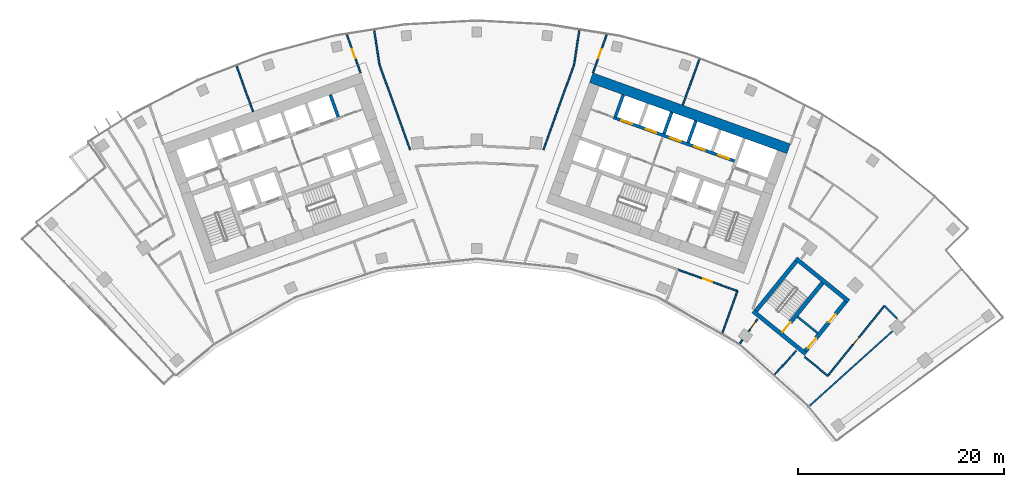
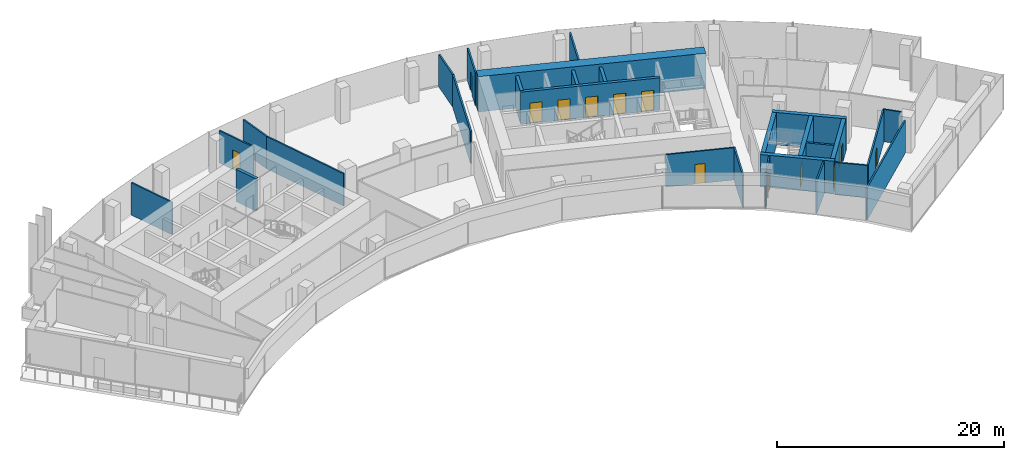
# One storey, part 15 of 19: 29 walls, 13 doors, 13 openings.
"""IFC4 building model written with IfcOpenShell, lengths in metres."""

from ifc_helpers import new_model, si_unit, direction, frame, frame_2d, origin, place, context, subcontext, project, spatial, rectangle, extrude, material, layer, layer_set, type_object, element, fill, save


model = new_model("IFC4")

# Units and contexts
model_context = context("Model", 3, precision=1e-05, world=origin(), true_north=direction((0.0, 1.0)))
body_context = subcontext(model_context, "Body", "Model", "MODEL_VIEW")
ifc_project = project(units=[si_unit("LENGTHUNIT", "METRE"), si_unit("AREAUNIT", "SQUARE_METRE"), si_unit("VOLUMEUNIT", "CUBIC_METRE"), si_unit("PLANEANGLEUNIT", "RADIAN"), si_unit("MASSUNIT", "GRAM", prefix="KILO")], contexts=[model_context])

# Site, building, storey
site_placement = place(None, origin())
site = spatial("IfcSite", under=ifc_project, at=site_placement, CompositionType="ELEMENT")
building_placement = place(site_placement, origin())
building = spatial("IfcBuilding", under=site, at=building_placement, Name="Stone Belt Terrace Tower", CompositionType="ELEMENT")
storey_placement = place(building_placement, frame((0.0, 0.0, 227.60009765625)))
storey = spatial("IfcBuildingStorey", under=building, at=storey_placement, Name="L55", CompositionType="ELEMENT", Elevation=227.60009765625)

# Walls
ifc_material_1 = material(Name="Concrete B60", Category="concrete")
ifc_layer_1 = layer(ifc_material_1, 1.0)
ifc_layer_set_1 = layer_set([ifc_layer_1], Name="Core wall 1000 B60")
wall_type_1 = type_object("IfcWallType", Name="Core wall 1000 B60", PredefinedType="SHEAR", material=ifc_layer_set_1)
wall_1_placement = place(storey_placement, frame((11.12646484375, 61.038330078125, 0.0), z_axis=(0.0, 0.0, 1.0), x_axis=(0.940921428504, -0.338624962727, 0.0)))
element("IfcWall", 1, at=wall_1_placement, inside=storey, type_object=wall_type_1, Name="Core B wall convex L55", PredefinedType="SHEAR", context=body_context, shape_type="SweptSolid", body=[
    extrude(rectangle(XDim=20.400146484375, YDim=1.0, at=frame_2d((10.2001953125, 0.0))), origin(), (0.0, 0.0, 1.0), 3.7998046875),
])
ifc_material_2 = material(Name="Concrete B80", Category="concrete")
ifc_layer_2 = layer(ifc_material_2, 0.300048828125)
ifc_layer_set_2 = layer_set([ifc_layer_2], Name="Lift shaft wall 300")
wall_type_2 = type_object("IfcWallType", Name="Lift shaft wall 300", PredefinedType="SHEAR", material=ifc_layer_set_2)
wall_2_placement = place(storey_placement, frame((-13.471435546875, 57.218505859375, 0.0), z_axis=(0.0, 0.0, 1.0), x_axis=(-0.338587917, 0.940934759939, 0.0)))
element("IfcWall", 2, at=wall_2_placement, inside=storey, type_object=wall_type_2, Name="Core A wall", PredefinedType="SHEAR", context=body_context, shape_type="SweptSolid", body=[
    extrude(rectangle(XDim=2.300048828125, YDim=0.300048828125, at=frame_2d((1.14990234375, 0.0))), origin(), (0.0, 0.0, 1.0), 3.47998046875),
])

# Wall, openings, doors
wall_3_placement = place(storey_placement, frame((25.05810546875, 52.9423828125, 0.0), z_axis=(0.0, 0.0, 1.0), x_axis=(-0.940920770291, 0.338626791666, 0.0)))
wall_3 = element("IfcWall", 3, at=wall_3_placement, inside=storey, type_object=wall_type_2, Name="Core B wall", PredefinedType="SHEAR", context=body_context, shape_type="SweptSolid", body=[
    extrude(rectangle(XDim=12.500244140625, YDim=0.300048828125, at=frame_2d((6.25, 0.0))), origin(), (0.0, 0.0, 1.0), 3.47998046875),
])
opening_1_placement = place(wall_3_placement, frame((0.570068359375, 0.0, 0.0)))
opening_1 = element("IfcOpeningElement", 4, at=opening_1_placement, cuts=wall_3, Name="Opening L55-LD09", PredefinedType="OPENING", context=body_context, shape_type="SweptSolid", body=[
    extrude(rectangle(XDim=1.10009765625, YDim=2.199951171875, at=frame_2d((0.550048828125, 1.10009765625))), frame((0.0, 0.159912109375, 0.0), z_axis=(0.0, -1.0, 0.0), x_axis=(1.0, 0.0, 0.0)), (0.0, 0.0, 1.0), 0.320068359375),
])
opening_2_placement = place(wall_3_placement, frame((3.070068359375, 0.0, 0.0)))
opening_2 = element("IfcOpeningElement", 5, at=opening_2_placement, cuts=wall_3, Name="Opening L55-LD10", PredefinedType="OPENING", context=body_context, shape_type="SweptSolid", body=[
    extrude(rectangle(XDim=1.10009765625, YDim=2.199951171875, at=frame_2d((0.550048828125, 1.10009765625))), frame((0.0, 0.159912109375, 0.0), z_axis=(0.0, -1.0, 0.0), x_axis=(1.0, 0.0, 0.0)), (0.0, 0.0, 1.0), 0.320068359375),
])
opening_3_placement = place(wall_3_placement, frame((5.570068359375, 0.0, 0.0)))
opening_3 = element("IfcOpeningElement", 6, at=opening_3_placement, cuts=wall_3, Name="Opening L55-LD11", PredefinedType="OPENING", context=body_context, shape_type="SweptSolid", body=[
    extrude(rectangle(XDim=1.10009765625, YDim=2.199951171875, at=frame_2d((0.550048828125, 1.10009765625))), frame((0.0, 0.159912109375, 0.0), z_axis=(0.0, -1.0, 0.0), x_axis=(1.0, 0.0, 0.0)), (0.0, 0.0, 1.0), 0.320068359375),
])
opening_4_placement = place(wall_3_placement, frame((8.070068359375, 0.0, 0.0)))
opening_4 = element("IfcOpeningElement", 7, at=opening_4_placement, cuts=wall_3, Name="Opening L55-LD12", PredefinedType="OPENING", context=body_context, shape_type="SweptSolid", body=[
    extrude(rectangle(XDim=1.10009765625, YDim=2.199951171875, at=frame_2d((0.550048828125, 1.10009765625))), frame((0.0, 0.159912109375, 0.0), z_axis=(0.0, -1.0, 0.0), x_axis=(1.0, 0.0, 0.0)), (0.0, 0.0, 1.0), 0.320068359375),
])
opening_5_placement = place(wall_3_placement, frame((10.570068359375, 0.0, 0.0)))
opening_5 = element("IfcOpeningElement", 8, at=opening_5_placement, cuts=wall_3, Name="Opening L55-LD13", PredefinedType="OPENING", context=body_context, shape_type="SweptSolid", body=[
    extrude(rectangle(XDim=1.10009765625, YDim=2.199951171875, at=frame_2d((0.550048828125, 1.10009765625))), frame((0.0, 0.159912109375, 0.0), z_axis=(0.0, -1.0, 0.0), x_axis=(1.0, 0.0, 0.0)), (0.0, 0.0, 1.0), 0.320068359375),
])
ifc_material_3 = material(Name="Stainless steel door leaf", Category="steel")
door_type_1 = type_object("IfcDoorType", Name="Landing door 1100", OperationType="SLIDING_TO_LEFT", PredefinedType="DOOR", material=ifc_material_3)
door_1_placement = place(opening_1_placement, origin())
door_1 = element("IfcDoor", 9, at=door_1_placement, inside=storey, type_object=door_type_1, Name="Landing door MR1 core B", OperationType="SLIDING_TO_LEFT", OverallHeight=2.199951171875, OverallWidth=1.10009765625, PredefinedType="DOOR", context=body_context, shape_type="SweptSolid", body=[
    extrude(rectangle(XDim=1.10009765625, YDim=2.199951171875, at=frame_2d((0.550048828125, 1.10009765625))), frame((0.0, 0.02490234375, 0.0), z_axis=(0.0, -1.0, 0.0), x_axis=(1.0, 0.0, 0.0)), (0.0, 0.0, 1.0), 0.050048828125),
])
fill(opening_1, door_1)
door_2_placement = place(opening_2_placement, origin())
door_2 = element("IfcDoor", 10, at=door_2_placement, inside=storey, type_object=door_type_1, Name="Landing door MR2 core B", OperationType="SLIDING_TO_LEFT", OverallHeight=2.199951171875, OverallWidth=1.10009765625, PredefinedType="DOOR", context=body_context, shape_type="SweptSolid", body=[
    extrude(rectangle(XDim=1.10009765625, YDim=2.199951171875, at=frame_2d((0.550048828125, 1.10009765625))), frame((0.0, 0.02490234375, 0.0), z_axis=(0.0, -1.0, 0.0), x_axis=(1.0, 0.0, 0.0)), (0.0, 0.0, 1.0), 0.050048828125),
])
fill(opening_2, door_2)
door_3_placement = place(opening_3_placement, origin())
door_3 = element("IfcDoor", 11, at=door_3_placement, inside=storey, type_object=door_type_1, Name="Landing door MR3 core B", OperationType="SLIDING_TO_LEFT", OverallHeight=2.199951171875, OverallWidth=1.10009765625, PredefinedType="DOOR", context=body_context, shape_type="SweptSolid", body=[
    extrude(rectangle(XDim=1.10009765625, YDim=2.199951171875, at=frame_2d((0.550048828125, 1.10009765625))), frame((0.0, 0.02490234375, 0.0), z_axis=(0.0, -1.0, 0.0), x_axis=(1.0, 0.0, 0.0)), (0.0, 0.0, 1.0), 0.050048828125),
])
fill(opening_3, door_3)
door_4_placement = place(opening_4_placement, origin())
door_4 = element("IfcDoor", 12, at=door_4_placement, inside=storey, type_object=door_type_1, Name="Landing door MR4 core B", OperationType="SLIDING_TO_LEFT", OverallHeight=2.199951171875, OverallWidth=1.10009765625, PredefinedType="DOOR", context=body_context, shape_type="SweptSolid", body=[
    extrude(rectangle(XDim=1.10009765625, YDim=2.199951171875, at=frame_2d((0.550048828125, 1.10009765625))), frame((0.0, 0.02490234375, 0.0), z_axis=(0.0, -1.0, 0.0), x_axis=(1.0, 0.0, 0.0)), (0.0, 0.0, 1.0), 0.050048828125),
])
fill(opening_4, door_4)
door_5_placement = place(opening_5_placement, origin())
door_5 = element("IfcDoor", 13, at=door_5_placement, inside=storey, type_object=door_type_1, Name="Landing door MR5 core B", OperationType="SLIDING_TO_LEFT", OverallHeight=2.199951171875, OverallWidth=1.10009765625, PredefinedType="DOOR", context=body_context, shape_type="SweptSolid", body=[
    extrude(rectangle(XDim=1.10009765625, YDim=2.199951171875, at=frame_2d((0.550048828125, 1.10009765625))), frame((0.0, 0.02490234375, 0.0), z_axis=(0.0, -1.0, 0.0), x_axis=(1.0, 0.0, 0.0)), (0.0, 0.0, 1.0), 0.050048828125),
])
fill(opening_5, door_5)

# Walls
wall_4_placement = place(storey_placement, frame((20.54541015625, 54.72607421875, 0.0), z_axis=(0.0, 0.0, 1.0), x_axis=(0.338569601369, 0.940941350472, 0.0)))
element("IfcWall", 14, at=wall_4_placement, inside=storey, type_object=wall_type_2, Name="Core B wall", PredefinedType="SHEAR", context=body_context, shape_type="SweptSolid", body=[
    extrude(rectangle(XDim=2.249755859375, YDim=0.300048828125, at=frame_2d((1.125, 0.0))), origin(), (0.0, 0.0, 1.0), 3.47998046875),
])
wall_5_placement = place(storey_placement, frame((18.193115234375, 55.572509765625, 0.0), z_axis=(0.0, 0.0, 1.0), x_axis=(0.338535034312, 0.940953787677, 0.0)))
element("IfcWall", 15, at=wall_5_placement, inside=storey, type_object=wall_type_2, Name="Core B wall", PredefinedType="SHEAR", context=body_context, shape_type="SweptSolid", body=[
    extrude(rectangle(XDim=2.25, YDim=0.300048828125, at=frame_2d((1.125, 0.0))), origin(), (0.0, 0.0, 1.0), 3.47998046875),
])
wall_6_placement = place(storey_placement, frame((13.471435546875, 57.218505859375, 0.0), z_axis=(0.0, 0.0, 1.0), x_axis=(0.338587917, 0.940934759939, 0.0)))
element("IfcWall", 16, at=wall_6_placement, inside=storey, type_object=wall_type_2, Name="Core B wall", PredefinedType="SHEAR", context=body_context, shape_type="SweptSolid", body=[
    extrude(rectangle(XDim=2.300048828125, YDim=0.300048828125, at=frame_2d((1.14990234375, 0.0))), origin(), (0.0, 0.0, 1.0), 3.47998046875),
])

# Wall, opening, door
ifc_material_4 = material(Name="Gypsum board partition")
ifc_layer_3 = layer(ifc_material_4, 0.14990234375)
ifc_layer_set_3 = layer_set([ifc_layer_3], Name="PARTITION 150 EI 60")
wall_type_3 = type_object("IfcWallType", Name="PARTITION 150 EI 60", PredefinedType="PARTITIONING", material=ifc_layer_set_3)
wall_7_placement = place(storey_placement, frame((-11.2958984375, 61.509033203125, 0.0), z_axis=(0.0, 0.0, 1.0), x_axis=(-0.338610223579, 0.940926732795, 0.0)))
wall_7 = element("IfcWall", 17, at=wall_7_placement, inside=storey, type_object=wall_type_3, Name="L55/wall/i008", PredefinedType="PARTITIONING", context=body_context, shape_type="SweptSolid", body=[
    extrude(rectangle(XDim=3.956787109375, YDim=0.14990234375, at=frame_2d((1.978515625, 0.0))), origin(), (0.0, 0.0, 1.0), 3.47998046875),
])
opening_6_placement = place(wall_7_placement, frame((1.5283203125, 0.0, 0.0)))
opening_6 = element("IfcOpeningElement", 18, at=opening_6_placement, cuts=wall_7, Name="Opening D-D4-04", PredefinedType="OPENING", context=body_context, shape_type="SweptSolid", body=[
    extrude(rectangle(XDim=0.89990234375, YDim=2.10009765625, at=frame_2d((0.449951171875, 1.050048828125))), frame((0.0, 0.0849609375, 0.0), z_axis=(0.0, -1.0, 0.0), x_axis=(1.0, 0.0, 0.0)), (0.0, 0.0, 1.0), 0.169921875),
])
ifc_material_5 = material(Name="Timber door leaf", Category="wood")
door_type_2 = type_object("IfcDoorType", Name="OFFICE DOOR 900 X 2100", OperationType="NOTDEFINED", PredefinedType="DOOR", material=ifc_material_5)
door_6_placement = place(opening_6_placement, origin())
door_6 = element("IfcDoor", 19, at=door_6_placement, inside=storey, type_object=door_type_2, Name="L55/door/i04", OperationType="SINGLE_SWING_RIGHT", OverallHeight=2.10009765625, OverallWidth=0.89990234375, PredefinedType="DOOR", context=body_context, shape_type="SweptSolid", body=[
    extrude(rectangle(XDim=0.89990234375, YDim=2.10009765625, at=frame_2d((0.449951171875, 1.050048828125))), frame((0.0, 0.02490234375, 0.0), z_axis=(0.0, -1.0, 0.0), x_axis=(1.0, 0.0, 0.0)), (0.0, 0.0, 1.0), 0.050048828125),
])
fill(opening_6, door_6)

# Walls
wall_8_placement = place(storey_placement, frame((-9.971923828125, 65.65576171875, 0.0), z_axis=(0.0, 0.0, 1.0), x_axis=(0.150154488208, -0.988662545903, 0.0)))
element("IfcWall", 20, at=wall_8_placement, inside=storey, type_object=wall_type_3, Name="L55/wall/i010", PredefinedType="PARTITIONING", context=body_context, shape_type="SweptSolid", body=[
    extrude(rectangle(XDim=3.35595703125, YDim=0.14990234375, at=frame_2d((1.677978515625, 0.0))), origin(), (0.0, 0.0, 1.0), 3.47998046875),
])
wall_9_placement = place(storey_placement, frame((-9.468017578125, 62.3369140625, 0.0), z_axis=(0.0, 0.0, 1.0), x_axis=(0.338603075024, -0.940929305307, 0.0)))
element("IfcWall", 21, at=wall_9_placement, inside=storey, type_object=wall_type_3, Name="L55/wall/i011", PredefinedType="PARTITIONING", context=body_context, shape_type="SweptSolid", body=[
    extrude(rectangle(XDim=8.839111328125, YDim=0.14990234375, at=frame_2d((4.41943359375, 0.0))), origin(), (0.0, 0.0, 1.0), 3.47998046875),
])
wall_10_placement = place(storey_placement, frame((-23.349853515625, 62.170166015625, 0.0), z_axis=(0.0, 0.0, 1.0), x_axis=(0.338590819614, -0.940933715451, 0.0)))
element("IfcWall", 22, at=wall_10_placement, inside=storey, type_object=wall_type_3, Name="L55/wall/i015", PredefinedType="PARTITIONING", context=body_context, shape_type="SweptSolid", body=[
    extrude(rectangle(XDim=4.7041015625, YDim=0.14990234375, at=frame_2d((2.35205078125, 0.0))), origin(), (0.0, 0.0, 1.0), 3.47998046875),
])

# Wall, opening, door
wall_11_placement = place(storey_placement, frame((12.6357421875, 65.232177734375, 0.0), z_axis=(0.0, 0.0, 1.0), x_axis=(-0.338610223579, -0.940926732795, 0.0)))
wall_11 = element("IfcWall", 23, at=wall_11_placement, inside=storey, type_object=wall_type_3, Name="L55/wall/i017", PredefinedType="PARTITIONING", context=body_context, shape_type="SweptSolid", body=[
    extrude(rectangle(XDim=3.956787109375, YDim=0.14990234375, at=frame_2d((1.978515625, 0.0))), origin(), (0.0, 0.0, 1.0), 3.47998046875),
])
opening_7_placement = place(wall_11_placement, frame((1.5283203125, 0.0, 0.0)))
opening_7 = element("IfcOpeningElement", 24, at=opening_7_placement, cuts=wall_11, Name="Opening D-D4-07", PredefinedType="OPENING", context=body_context, shape_type="SweptSolid", body=[
    extrude(rectangle(XDim=0.89990234375, YDim=2.10009765625, at=frame_2d((0.449951171875, 1.050048828125))), frame((0.0, 0.0849609375, 0.0), z_axis=(0.0, -1.0, 0.0), x_axis=(1.0, 0.0, 0.0)), (0.0, 0.0, 1.0), 0.169921875),
])
door_7_placement = place(opening_7_placement, origin())
door_7 = element("IfcDoor", 25, at=door_7_placement, inside=storey, type_object=door_type_2, Name="L55/door/i07", OperationType="SINGLE_SWING_RIGHT", OverallHeight=2.10009765625, OverallWidth=0.89990234375, PredefinedType="DOOR", context=body_context, shape_type="SweptSolid", body=[
    extrude(rectangle(XDim=0.89990234375, YDim=2.10009765625, at=frame_2d((0.449951171875, 1.050048828125))), frame((0.0, 0.02490234375, 0.0), z_axis=(0.0, -1.0, 0.0), x_axis=(1.0, 0.0, 0.0)), (0.0, 0.0, 1.0), 0.050048828125),
])
fill(opening_7, door_7)

# Walls
wall_12_placement = place(storey_placement, frame((6.47509765625, 54.02001953125, 0.0), z_axis=(0.0, 0.0, 1.0), x_axis=(0.338603075024, 0.940929305307, 0.0)))
element("IfcWall", 26, at=wall_12_placement, inside=storey, type_object=wall_type_3, Name="L55/wall/i019", PredefinedType="PARTITIONING", context=body_context, shape_type="SweptSolid", body=[
    extrude(rectangle(XDim=8.839111328125, YDim=0.14990234375, at=frame_2d((4.41943359375, 0.0))), origin(), (0.0, 0.0, 1.0), 3.47998046875),
])
wall_13_placement = place(storey_placement, frame((9.468017578125, 62.337890625, 0.0), z_axis=(0.0, 0.0, 1.0), x_axis=(0.150154488208, 0.988662545903, 0.0)))
element("IfcWall", 27, at=wall_13_placement, inside=storey, type_object=wall_type_3, Name="L55/wall/i020", PredefinedType="PARTITIONING", context=body_context, shape_type="SweptSolid", body=[
    extrude(rectangle(XDim=3.35595703125, YDim=0.14990234375, at=frame_2d((1.677978515625, 0.0))), origin(), (0.0, 0.0, 1.0), 3.47998046875),
])
wall_14_placement = place(storey_placement, frame((23.860107421875, 36.1787109375, 0.0), z_axis=(0.0, 0.0, 1.0), x_axis=(0.338603151709, 0.94092927771, 0.0)))
element("IfcWall", 28, at=wall_14_placement, inside=storey, type_object=wall_type_3, Name="L55/wall/i021", PredefinedType="PARTITIONING", context=body_context, shape_type="SweptSolid", body=[
    extrude(rectangle(XDim=4.38525390625, YDim=0.14990234375, at=frame_2d((2.192626953125, 0.0))), origin(), (0.0, 0.0, 1.0), 3.47998046875),
])

# Wall, opening, door
wall_15_placement = place(storey_placement, frame((27.282958984375, 37.552001953125, 0.0), z_axis=(0.0, 0.0, 1.0), x_axis=(-0.587894549619, -0.808937573938, 0.0)))
wall_15 = element("IfcWall", 29, at=wall_15_placement, inside=storey, type_object=wall_type_3, Name="L55/wall/i024", PredefinedType="PARTITIONING", context=body_context, shape_type="SweptSolid", body=[
    extrude(rectangle(XDim=1.466796875, YDim=0.14990234375, at=frame_2d((0.7333984375, 0.0))), origin(), (0.0, 0.0, 1.0), 3.47998046875),
])
opening_8_placement = place(wall_15_placement, frame((0.283447265625, 0.0, 0.0)))
opening_8 = element("IfcOpeningElement", 30, at=opening_8_placement, cuts=wall_15, Name="Opening D-D4-17", PredefinedType="OPENING", context=body_context, shape_type="SweptSolid", body=[
    extrude(rectangle(XDim=0.89990234375, YDim=2.10009765625, at=frame_2d((0.449951171875, 1.050048828125))), frame((0.0, 0.0849609375, 0.0), z_axis=(0.0, -1.0, 0.0), x_axis=(1.0, 0.0, 0.0)), (0.0, 0.0, 1.0), 0.169921875),
])
ifc_material_6 = material(Name="Timber fire door leaf", Category="wood")
door_type_3 = type_object("IfcDoorType", Name="TENANCY ENTRANCE DOOR 900 X 2100", OperationType="NOTDEFINED", PredefinedType="DOOR", material=ifc_material_6)
door_8_placement = place(opening_8_placement, origin())
door_8 = element("IfcDoor", 31, at=door_8_placement, inside=storey, type_object=door_type_3, Name="L55/door/i17", OperationType="SINGLE_SWING_RIGHT", OverallHeight=2.10009765625, OverallWidth=0.89990234375, PredefinedType="DOOR", context=body_context, shape_type="SweptSolid", body=[
    extrude(rectangle(XDim=0.89990234375, YDim=2.10009765625, at=frame_2d((0.449951171875, 1.050048828125))), frame((0.0, 0.02490234375, 0.0), z_axis=(0.0, -1.0, 0.0), x_axis=(1.0, 0.0, 0.0)), (0.0, 0.0, 1.0), 0.050048828125),
])
fill(opening_8, door_8)

# Wall
wall_16_placement = place(storey_placement, frame((25.826904296875, 35.54833984375, 0.0), z_axis=(0.0, 0.0, 1.0), x_axis=(-0.587676645097, -0.809095890984, 0.0)))
element("IfcWall", 32, at=wall_16_placement, inside=storey, type_object=wall_type_3, Name="L55/wall/i025", PredefinedType="PARTITIONING", context=body_context, shape_type="SweptSolid", body=[
    extrude(rectangle(XDim=0.43994140625, YDim=0.14990234375, at=frame_2d((0.219970703125, 0.0))), origin(), (0.0, 0.0, 1.0), 3.47998046875),
])

# Wall, opening, door
wall_17_placement = place(storey_placement, frame((25.343017578125, 40.299072265625, 0.0), z_axis=(0.0, 0.0, 1.0), x_axis=(-0.940930306206, 0.338600293654, 0.0)))
wall_17 = element("IfcWall", 33, at=wall_17_placement, inside=storey, type_object=wall_type_3, Name="L55/wall/i029", PredefinedType="PARTITIONING", context=body_context, shape_type="SweptSolid", body=[
    extrude(rectangle(XDim=6.166259765625, YDim=0.14990234375, at=frame_2d((3.0830078125, 0.0))), origin(), (0.0, 0.0, 1.0), 3.47998046875),
])
opening_9_placement = place(wall_17_placement, frame((2.633056640625, 0.0, 0.0)))
opening_9 = element("IfcOpeningElement", 34, at=opening_9_placement, cuts=wall_17, Name="Opening D-D4-06", PredefinedType="OPENING", context=body_context, shape_type="SweptSolid", body=[
    extrude(rectangle(XDim=0.89990234375, YDim=2.10009765625, at=frame_2d((0.449951171875, 1.050048828125))), frame((0.0, 0.0849609375, 0.0), z_axis=(0.0, -1.0, 0.0), x_axis=(1.0, 0.0, 0.0)), (0.0, 0.0, 1.0), 0.169921875),
])
door_9_placement = place(opening_9_placement, origin())
door_9 = element("IfcDoor", 35, at=door_9_placement, inside=storey, type_object=door_type_2, Name="L55/door/i06", OperationType="SINGLE_SWING_RIGHT", OverallHeight=2.10009765625, OverallWidth=0.89990234375, PredefinedType="DOOR", context=body_context, shape_type="SweptSolid", body=[
    extrude(rectangle(XDim=0.89990234375, YDim=2.10009765625, at=frame_2d((0.449951171875, 1.050048828125))), frame((0.0, 0.02490234375, 0.0), z_axis=(0.0, -1.0, 0.0), x_axis=(1.0, 0.0, 0.0)), (0.0, 0.0, 1.0), 0.050048828125),
])
fill(opening_9, door_9)

# Walls
wall_18_placement = place(storey_placement, frame((21.634765625, 62.828125, 0.0), z_axis=(0.0, 0.0, 1.0), x_axis=(-0.338595500768, -0.940932030946, 0.0)))
element("IfcWall", 36, at=wall_18_placement, inside=storey, type_object=wall_type_3, Name="L55/wall/i031", PredefinedType="PARTITIONING", context=body_context, shape_type="SweptSolid", body=[
    extrude(rectangle(XDim=4.7421875, YDim=0.14990234375, at=frame_2d((2.37109375, 0.0))), origin(), (0.0, 0.0, 1.0), 3.47998046875),
])
wall_19_placement = place(storey_placement, frame((32.32666015625, 29.107177734375, 0.0), z_axis=(0.0, 0.0, 1.0), x_axis=(0.743123646352, 0.669154127412, 0.0)))
element("IfcWall", 37, at=wall_19_placement, inside=storey, type_object=wall_type_3, Name="L55/wall/i047", PredefinedType="PARTITIONING", context=body_context, shape_type="SweptSolid", body=[
    extrude(rectangle(XDim=10.89501953125, YDim=0.14990234375, at=frame_2d((5.447509765625, 0.0))), origin(), (0.0, 0.0, 1.0), 3.47998046875),
])
wall_20_placement = place(storey_placement, frame((40.871826171875, 37.615234375, 0.0), z_axis=(0.0, 0.0, 1.0), x_axis=(-0.707176795224, 0.707036760216, 0.0)))
element("IfcWall", 38, at=wall_20_placement, inside=storey, type_object=wall_type_3, Name="L55/wall/i051", PredefinedType="PARTITIONING", context=body_context, shape_type="SweptSolid", body=[
    extrude(rectangle(XDim=1.743408203125, YDim=0.14990234375, at=frame_2d((0.87158203125, 0.0))), origin(), (0.0, 0.0, 1.0), 3.47998046875),
])

# Wall, opening, door
wall_21_placement = place(storey_placement, frame((39.64306640625, 38.843994140625, 0.0), z_axis=(0.0, 0.0, 1.0), x_axis=(-0.630226712005, -0.776411161354, 0.0)))
wall_21 = element("IfcWall", 39, at=wall_21_placement, inside=storey, type_object=wall_type_3, Name="L55/wall/i057", PredefinedType="PARTITIONING", context=body_context, shape_type="SweptSolid", body=[
    extrude(rectangle(XDim=8.742919921875, YDim=0.14990234375, at=frame_2d((4.37158203125, 0.0))), origin(), (0.0, 0.0, 1.0), 3.47998046875),
])
opening_10_placement = place(wall_21_placement, frame((3.92138671875, 0.0, 0.0)))
opening_10 = element("IfcOpeningElement", 40, at=opening_10_placement, cuts=wall_21, Name="Opening D-D4-18", PredefinedType="OPENING", context=body_context, shape_type="SweptSolid", body=[
    extrude(rectangle(XDim=0.89990234375, YDim=2.10009765625, at=frame_2d((0.449951171875, 1.050048828125))), frame((0.0, 0.0849609375, 0.0), z_axis=(0.0, -1.0, 0.0), x_axis=(1.0, 0.0, 0.0)), (0.0, 0.0, 1.0), 0.169921875),
])
door_10_placement = place(opening_10_placement, origin())
door_10 = element("IfcDoor", 41, at=door_10_placement, inside=storey, type_object=door_type_2, Name="L55/door/i18", OperationType="SINGLE_SWING_LEFT", OverallHeight=2.10009765625, OverallWidth=0.89990234375, PredefinedType="DOOR", context=body_context, shape_type="SweptSolid", body=[
    extrude(rectangle(XDim=0.89990234375, YDim=2.10009765625, at=frame_2d((0.449951171875, 1.050048828125))), frame((0.0, 0.02490234375, 0.0), z_axis=(0.0, -1.0, 0.0), x_axis=(1.0, 0.0, 0.0)), (0.0, 0.0, 1.0), 0.050048828125),
])
fill(opening_10, door_10)

# Walls
wall_22_placement = place(storey_placement, frame((34.133056640625, 32.055908203125, 0.0), z_axis=(0.0, 0.0, 1.0), x_axis=(-0.776369956068, 0.630277471686, 0.0)))
element("IfcWall", 42, at=wall_22_placement, inside=storey, type_object=wall_type_3, Name="L55/wall/i058", PredefinedType="PARTITIONING", context=body_context, shape_type="SweptSolid", body=[
    extrude(rectangle(XDim=2.8876953125, YDim=0.14990234375, at=frame_2d((1.44384765625, 0.0))), origin(), (0.0, 0.0, 1.0), 3.47998046875),
])
wall_23_placement = place(storey_placement, frame((31.054931640625, 34.489990234375, 0.0), z_axis=(0.0, 0.0, 1.0), x_axis=(-0.669118910745, -0.743155356089, 0.0)))
element("IfcWall", 43, at=wall_23_placement, inside=storey, type_object=wall_type_3, Name="L55/wall/i059", PredefinedType="PARTITIONING", context=body_context, shape_type="SweptSolid", body=[
    extrude(rectangle(XDim=3.149169921875, YDim=0.14990234375, at=frame_2d((1.57470703125, 0.0))), origin(), (0.0, 0.0, 1.0), 3.47998046875),
])
ifc_material_7 = material(Name="Concrete masonry block", Category="masonry")
ifc_layer_4 = layer(ifc_material_7, 0.199951171875)
ifc_layer_set_4 = layer_set([ifc_layer_4], Name="Rated lobby wall 200")
wall_type_4 = type_object("IfcWallType", Name="Rated lobby wall 200", PredefinedType="PARTITIONING", material=ifc_layer_set_4)
wall_24_placement = place(storey_placement, frame((31.190673828125, 37.79296875, 0.0), z_axis=(0.0, 0.0, 1.0), x_axis=(0.776370830301, -0.630276394813, 0.0)))
element("IfcWall", 44, at=wall_24_placement, inside=storey, type_object=wall_type_4, Name="Exit stair ST3B wall", PredefinedType="PARTITIONING", context=body_context, shape_type="SweptSolid", body=[
    extrude(rectangle(XDim=2.5, YDim=0.199951171875, at=frame_2d((1.25, 0.0))), origin(), (0.0, 0.0, 1.0), 3.47998046875),
])
ifc_layer_5 = layer(ifc_material_2, 0.39990234375)
ifc_layer_set_5 = layer_set([ifc_layer_5], Name="Stair enclosure wall 400")
wall_type_5 = type_object("IfcWallType", Name="Stair enclosure wall 400", PredefinedType="SHEAR", material=ifc_layer_set_5)
wall_25_placement = place(storey_placement, frame((26.868408203125, 38.3388671875, 0.0), z_axis=(0.0, 0.0, 1.0), x_axis=(0.776428452498, -0.630205409491, 0.0)))
element("IfcWall", 45, at=wall_25_placement, inside=storey, type_object=wall_type_5, Name="Exit stair ST3B wall", PredefinedType="SHEAR", context=body_context, shape_type="SweptSolid", body=[
    extrude(rectangle(XDim=6.60009765625, YDim=0.39990234375, at=frame_2d((3.300048828125, 0.0))), origin(), (0.0, 0.0, 1.0), 3.47998046875),
])
wall_26_placement = place(storey_placement, frame((31.02783203125, 43.46337890625, 0.0), z_axis=(0.0, 0.0, 1.0), x_axis=(0.776413760801, -0.630223509589, 0.0)))
element("IfcWall", 46, at=wall_26_placement, inside=storey, type_object=wall_type_5, Name="Exit stair ST3B wall", PredefinedType="SHEAR", context=body_context, shape_type="SweptSolid", body=[
    extrude(rectangle(XDim=6.599853515625, YDim=0.39990234375, at=frame_2d((3.2998046875, 0.0))), origin(), (0.0, 0.0, 1.0), 3.47998046875),
])
wall_27_placement = place(storey_placement, frame((27.149658203125, 38.3681640625, 0.0), z_axis=(0.0, 0.0, 1.0), x_axis=(0.630211551729, 0.776423466973, 0.0)))
element("IfcWall", 47, at=wall_27_placement, inside=storey, type_object=wall_type_5, Name="Exit stair ST3B wall", PredefinedType="SHEAR", context=body_context, shape_type="SweptSolid", body=[
    extrude(rectangle(XDim=6.199951171875, YDim=0.39990234375, at=frame_2d((3.10009765625, 0.0))), origin(), (0.0, 0.0, 1.0), 3.47998046875),
])

# Wall, openings, doors
wall_28_placement = place(storey_placement, frame((31.963623046875, 34.460693359375, 0.0), z_axis=(0.0, 0.0, 1.0), x_axis=(0.630192283849, 0.776439106033, 0.0)))
wall_28 = element("IfcWall", 48, at=wall_28_placement, inside=storey, type_object=wall_type_5, Name="Exit stair ST3B wall", PredefinedType="SHEAR", context=body_context, shape_type="SweptSolid", body=[
    extrude(rectangle(XDim=6.199951171875, YDim=0.39990234375, at=frame_2d((3.10009765625, 0.0))), origin(), (0.0, 0.0, 1.0), 3.47998046875),
])
opening_11_placement = place(wall_28_placement, frame((0.39990234375, 0.0, 0.0)))
opening_11 = element("IfcOpeningElement", 49, at=opening_11_placement, cuts=wall_28, Name="Opening L55-C28", PredefinedType="OPENING", context=body_context, shape_type="SweptSolid", body=[
    extrude(rectangle(XDim=1.199951171875, YDim=2.10009765625, at=frame_2d((0.60009765625, 1.050048828125))), frame((0.0, 0.2099609375, 0.0), z_axis=(0.0, -1.0, 0.0), x_axis=(1.0, 0.0, 0.0)), (0.0, 0.0, 1.0), 0.419921875),
])
opening_12_placement = place(wall_28_placement, frame((3.60009765625, 0.0, 0.0)))
opening_12 = element("IfcOpeningElement", 50, at=opening_12_placement, cuts=wall_28, Name="Opening L55-C29", PredefinedType="OPENING", context=body_context, shape_type="SweptSolid", body=[
    extrude(rectangle(XDim=1.0, YDim=2.10009765625, at=frame_2d((0.5, 1.050048828125))), frame((0.0, 0.2099609375, 0.0), z_axis=(0.0, -1.0, 0.0), x_axis=(1.0, 0.0, 0.0)), (0.0, 0.0, 1.0), 0.419921875),
])
door_type_4 = type_object("IfcDoorType", Name="Core room door 1000", OperationType="SINGLE_SWING_LEFT", PredefinedType="DOOR", material=ifc_material_5)
door_11_placement = place(opening_12_placement, origin())
door_11 = element("IfcDoor", 51, at=door_11_placement, inside=storey, type_object=door_type_4, Name="Door to stair pressurisation plant room ST3B", OperationType="SINGLE_SWING_LEFT", OverallHeight=2.10009765625, OverallWidth=1.0, PredefinedType="DOOR", context=body_context, shape_type="SweptSolid", body=[
    extrude(rectangle(XDim=1.0, YDim=2.10009765625, at=frame_2d((0.5, 1.050048828125))), frame((0.0, 0.02490234375, 0.0), z_axis=(0.0, -1.0, 0.0), x_axis=(1.0, 0.0, 0.0)), (0.0, 0.0, 1.0), 0.050048828125),
])
fill(opening_12, door_11)
ifc_material_8 = material(Name="Steel door leaf", Category="steel")
door_type_5 = type_object("IfcDoorType", Name="Stair airlock door 1200", OperationType="SINGLE_SWING_LEFT", PredefinedType="DOOR", material=ifc_material_8)
door_12_placement = place(opening_11_placement, origin())
door_12 = element("IfcDoor", 52, at=door_12_placement, inside=storey, type_object=door_type_5, Name="Stair airlock door ST3B", OperationType="SINGLE_SWING_LEFT", OverallHeight=2.10009765625, OverallWidth=1.199951171875, PredefinedType="DOOR", context=body_context, shape_type="SweptSolid", body=[
    extrude(rectangle(XDim=1.199951171875, YDim=2.10009765625, at=frame_2d((0.60009765625, 1.050048828125))), frame((0.0, 0.02490234375, 0.0), z_axis=(0.0, -1.0, 0.0), x_axis=(1.0, 0.0, 0.0)), (0.0, 0.0, 1.0), 0.050048828125),
])
fill(opening_11, door_12)

# Wall, opening, door
wall_29_placement = place(storey_placement, frame((29.7119140625, 36.288330078125, 0.0), z_axis=(0.0, 0.0, 1.0), x_axis=(0.630192283849, 0.776439106033, 0.0)))
wall_29 = element("IfcWall", 53, at=wall_29_placement, inside=storey, type_object=wall_type_5, Name="Exit stair ST3B wall", PredefinedType="SHEAR", context=body_context, shape_type="SweptSolid", body=[
    extrude(rectangle(XDim=6.199951171875, YDim=0.39990234375, at=frame_2d((3.10009765625, 0.0))), origin(), (0.0, 0.0, 1.0), 3.47998046875),
])
opening_13_placement = place(wall_29_placement, frame((0.050048828125, 0.0, 0.0)))
opening_13 = element("IfcOpeningElement", 54, at=opening_13_placement, cuts=wall_29, Name="Opening L55-C27", PredefinedType="OPENING", context=body_context, shape_type="SweptSolid", body=[
    extrude(rectangle(XDim=1.199951171875, YDim=2.10009765625, at=frame_2d((0.60009765625, 1.050048828125))), frame((0.0, 0.2099609375, 0.0), z_axis=(0.0, -1.0, 0.0), x_axis=(1.0, 0.0, 0.0)), (0.0, 0.0, 1.0), 0.419921875),
])
door_type_6 = type_object("IfcDoorType", Name="Stair door 1200", OperationType="SINGLE_SWING_LEFT", PredefinedType="DOOR", material=ifc_material_8)
door_13_placement = place(opening_13_placement, origin())
door_13 = element("IfcDoor", 55, at=door_13_placement, inside=storey, type_object=door_type_6, Name="Stair door ST3B", OperationType="SINGLE_SWING_RIGHT", OverallHeight=2.10009765625, OverallWidth=1.199951171875, PredefinedType="DOOR", context=body_context, shape_type="SweptSolid", body=[
    extrude(rectangle(XDim=1.199951171875, YDim=2.10009765625, at=frame_2d((0.60009765625, 1.050048828125))), frame((0.0, 0.02490234375, 0.0), z_axis=(0.0, -1.0, 0.0), x_axis=(1.0, 0.0, 0.0)), (0.0, 0.0, 1.0), 0.050048828125),
])
fill(opening_13, door_13)

save(model, "model.ifc")
